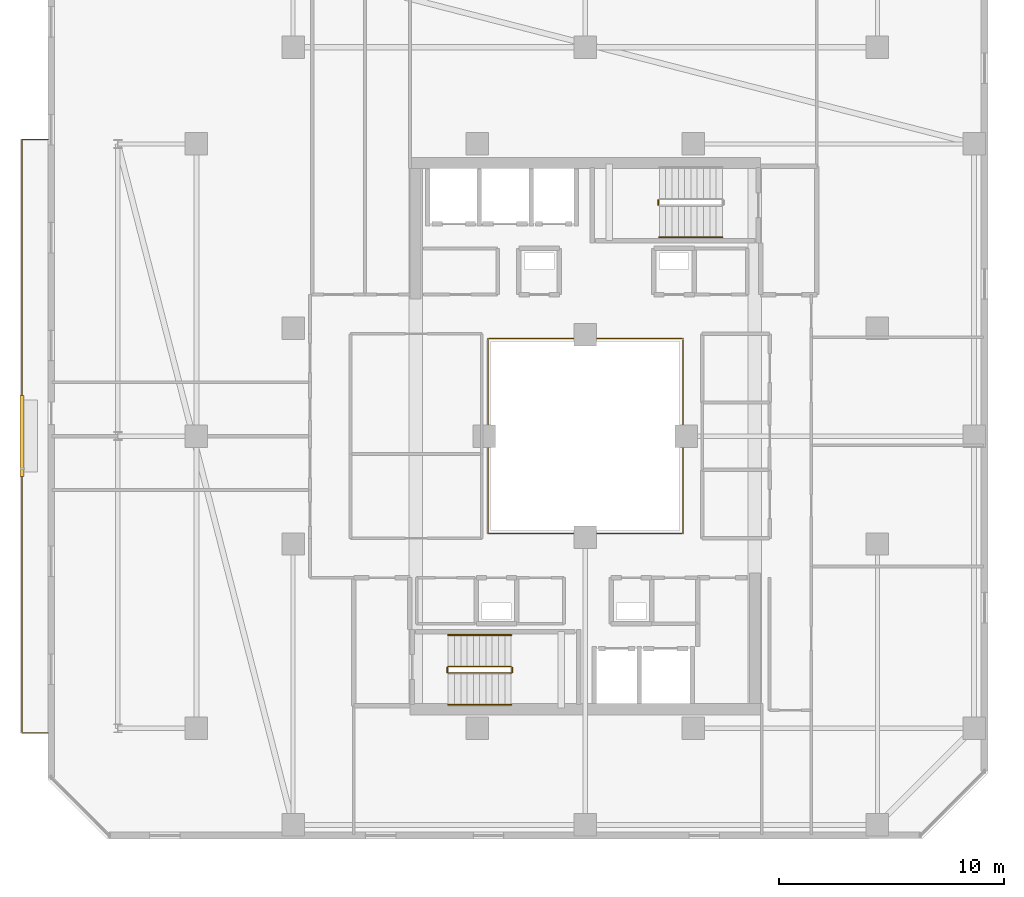
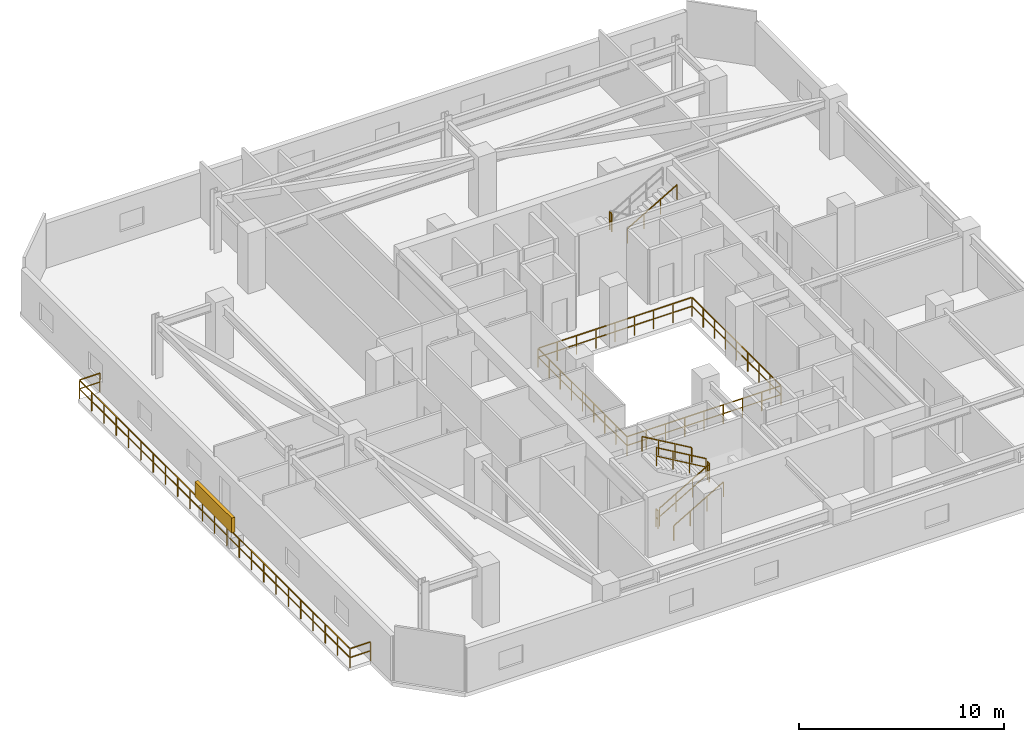
# One storey, part 30 of 33: 10 railings, 1 shading device.
"""IFC4 building model written with IfcOpenShell, lengths in metres."""

from ifc_helpers import new_model, si_unit, direction, frame, origin, origin_2d, place, context, subcontext, project, spatial, rectangle, extrude, material, type_object, element, save


model = new_model("IFC4")

# Units and contexts
model_context = context("Model", 3, precision=1e-05, world=origin(), true_north=direction((0.0, 1.0)))
body_context = subcontext(model_context, "Body", "Model", "MODEL_VIEW")
ifc_project = project(units=[si_unit("LENGTHUNIT", "METRE"), si_unit("AREAUNIT", "SQUARE_METRE"), si_unit("VOLUMEUNIT", "CUBIC_METRE"), si_unit("PLANEANGLEUNIT", "RADIAN"), si_unit("MASSUNIT", "GRAM", prefix="KILO")], contexts=[model_context])

# Site, building, storey
site_placement = place(None, origin())
site = spatial("IfcSite", under=ifc_project, at=site_placement, CompositionType="ELEMENT")
building_placement = place(site_placement, origin())
building = spatial("IfcBuilding", under=site, at=building_placement, Name="Thornwick Lancets Civic Towers", CompositionType="ELEMENT")
storey_placement = place(building_placement, frame((0.0, 0.0, 218.10009765625)))
storey = spatial("IfcBuildingStorey", under=building, at=storey_placement, Name="L58", CompositionType="ELEMENT", Elevation=218.10009765625)

# Railings
ifc_material_1 = material(Name="Laminated glass and bronze steel S355", Category="steel")
railing_type_1 = type_object("IfcRailingType", Name="RAIL_ATRIUM_GUARD", PredefinedType="BALUSTRADE", material=ifc_material_1)
railing_1_placement = place(storey_placement, frame((21.159912109375, 22.659912109375, 0.0)))
element("IfcRailing", 1, at=railing_1_placement, inside=storey, type_object=railing_type_1, Name="L58 Tower A Central Atrium Guard Balustrade", PredefinedType="BALUSTRADE", context=body_context, shape_type="SweptSolid", body=[
    extrude(rectangle(XDim=0.048095703125, YDim=0.048095703125, at=origin_2d()), frame((0.0, 0.0, 1.1259765625), z_axis=(1.0, 0.0, 0.0), x_axis=(0.0, 1.0, 0.0)), (0.0, 0.0, 1.0), 8.64892578125),
    extrude(rectangle(XDim=0.0419921875, YDim=0.0419921875, at=origin_2d()), frame((0.03759765625, 0.0, 0.597900390625), z_axis=(1.0, 0.0, 0.0), x_axis=(0.0, 1.0, 0.0)), (0.0, 0.0, 1.0), 1.010009765625),
    extrude(rectangle(XDim=0.0419921875, YDim=0.0419921875, at=origin_2d()), frame((1.12255859375, 0.0, 0.597900390625), z_axis=(1.0, 0.0, 0.0), x_axis=(0.0, 1.0, 0.0)), (0.0, 0.0, 1.0), 1.010009765625),
    extrude(rectangle(XDim=0.0419921875, YDim=0.0419921875, at=origin_2d()), frame((2.20751953125, 0.0, 0.597900390625), z_axis=(1.0, 0.0, 0.0), x_axis=(0.0, 1.0, 0.0)), (0.0, 0.0, 1.0), 1.010009765625),
    extrude(rectangle(XDim=0.0419921875, YDim=0.0419921875, at=origin_2d()), frame((3.29248046875, 0.0, 0.597900390625), z_axis=(1.0, 0.0, 0.0), x_axis=(0.0, 1.0, 0.0)), (0.0, 0.0, 1.0), 1.010009765625),
    extrude(rectangle(XDim=0.0419921875, YDim=0.0419921875, at=origin_2d()), frame((4.377685546875, 0.0, 0.597900390625), z_axis=(1.0, 0.0, 0.0), x_axis=(0.0, 1.0, 0.0)), (0.0, 0.0, 1.0), 1.010009765625),
    extrude(rectangle(XDim=0.0419921875, YDim=0.0419921875, at=origin_2d()), frame((5.462646484375, 0.0, 0.597900390625), z_axis=(1.0, 0.0, 0.0), x_axis=(0.0, 1.0, 0.0)), (0.0, 0.0, 1.0), 1.010009765625),
    extrude(rectangle(XDim=0.0419921875, YDim=0.0419921875, at=origin_2d()), frame((6.547607421875, 0.0, 0.597900390625), z_axis=(1.0, 0.0, 0.0), x_axis=(0.0, 1.0, 0.0)), (0.0, 0.0, 1.0), 1.010009765625),
    extrude(rectangle(XDim=0.0419921875, YDim=0.0419921875, at=origin_2d()), frame((7.632568359375, 0.0, 0.597900390625), z_axis=(1.0, 0.0, 0.0), x_axis=(0.0, 1.0, 0.0)), (0.0, 0.0, 1.0), 1.010009765625),
    extrude(rectangle(XDim=0.048095703125, YDim=0.048095703125, at=origin_2d()), frame((8.68017578125, 0.03125, 1.1259765625), z_axis=(0.0, 1.0, 0.0), x_axis=(-1.0, 0.0, 0.0)), (0.0, 0.0, 1.0), 8.61767578125),
    extrude(rectangle(XDim=0.0419921875, YDim=0.0419921875, at=origin_2d()), frame((8.68017578125, 0.03759765625, 0.597900390625), z_axis=(0.0, 1.0, 0.0), x_axis=(-1.0, 0.0, 0.0)), (0.0, 0.0, 1.0), 1.010009765625),
    extrude(rectangle(XDim=0.0419921875, YDim=0.0419921875, at=origin_2d()), frame((8.68017578125, 1.12255859375, 0.597900390625), z_axis=(0.0, 1.0, 0.0), x_axis=(-1.0, 0.0, 0.0)), (0.0, 0.0, 1.0), 1.010009765625),
    extrude(rectangle(XDim=0.0419921875, YDim=0.0419921875, at=origin_2d()), frame((8.68017578125, 2.20751953125, 0.597900390625), z_axis=(0.0, 1.0, 0.0), x_axis=(-1.0, 0.0, 0.0)), (0.0, 0.0, 1.0), 1.010009765625),
    extrude(rectangle(XDim=0.0419921875, YDim=0.0419921875, at=origin_2d()), frame((8.68017578125, 3.29248046875, 0.597900390625), z_axis=(0.0, 1.0, 0.0), x_axis=(-1.0, 0.0, 0.0)), (0.0, 0.0, 1.0), 1.010009765625),
    extrude(rectangle(XDim=0.0419921875, YDim=0.0419921875, at=origin_2d()), frame((8.68017578125, 4.377685546875, 0.597900390625), z_axis=(0.0, 1.0, 0.0), x_axis=(-1.0, 0.0, 0.0)), (0.0, 0.0, 1.0), 1.010009765625),
    extrude(rectangle(XDim=0.0419921875, YDim=0.0419921875, at=origin_2d()), frame((8.68017578125, 5.462646484375, 0.597900390625), z_axis=(0.0, 1.0, 0.0), x_axis=(-1.0, 0.0, 0.0)), (0.0, 0.0, 1.0), 1.010009765625),
    extrude(rectangle(XDim=0.0419921875, YDim=0.0419921875, at=origin_2d()), frame((8.68017578125, 6.547607421875, 0.597900390625), z_axis=(0.0, 1.0, 0.0), x_axis=(-1.0, 0.0, 0.0)), (0.0, 0.0, 1.0), 1.010009765625),
    extrude(rectangle(XDim=0.0419921875, YDim=0.0419921875, at=origin_2d()), frame((8.68017578125, 7.632568359375, 0.597900390625), z_axis=(0.0, 1.0, 0.0), x_axis=(-1.0, 0.0, 0.0)), (0.0, 0.0, 1.0), 1.010009765625),
    extrude(rectangle(XDim=0.048095703125, YDim=0.048095703125, at=origin_2d()), frame((8.64892578125, 8.68017578125, 1.1259765625), z_axis=(-1.0, 0.0, 0.0), x_axis=(0.0, -1.0, 0.0)), (0.0, 0.0, 1.0), 8.61767578125),
    extrude(rectangle(XDim=0.0419921875, YDim=0.0419921875, at=origin_2d()), frame((8.642578125, 8.68017578125, 0.597900390625), z_axis=(-1.0, 0.0, 0.0), x_axis=(0.0, -1.0, 0.0)), (0.0, 0.0, 1.0), 1.010009765625),
    extrude(rectangle(XDim=0.0419921875, YDim=0.0419921875, at=origin_2d()), frame((7.5576171875, 8.68017578125, 0.597900390625), z_axis=(-1.0, 0.0, 0.0), x_axis=(0.0, -1.0, 0.0)), (0.0, 0.0, 1.0), 1.010009765625),
    extrude(rectangle(XDim=0.0419921875, YDim=0.0419921875, at=origin_2d()), frame((6.47265625, 8.68017578125, 0.597900390625), z_axis=(-1.0, 0.0, 0.0), x_axis=(0.0, -1.0, 0.0)), (0.0, 0.0, 1.0), 1.010009765625),
    extrude(rectangle(XDim=0.0419921875, YDim=0.0419921875, at=origin_2d()), frame((5.3876953125, 8.68017578125, 0.597900390625), z_axis=(-1.0, 0.0, 0.0), x_axis=(0.0, -1.0, 0.0)), (0.0, 0.0, 1.0), 1.010009765625),
    extrude(rectangle(XDim=0.0419921875, YDim=0.0419921875, at=origin_2d()), frame((4.302490234375, 8.68017578125, 0.597900390625), z_axis=(-1.0, 0.0, 0.0), x_axis=(0.0, -1.0, 0.0)), (0.0, 0.0, 1.0), 1.010009765625),
    extrude(rectangle(XDim=0.0419921875, YDim=0.0419921875, at=origin_2d()), frame((3.217529296875, 8.68017578125, 0.597900390625), z_axis=(-1.0, 0.0, 0.0), x_axis=(0.0, -1.0, 0.0)), (0.0, 0.0, 1.0), 1.010009765625),
    extrude(rectangle(XDim=0.0419921875, YDim=0.0419921875, at=origin_2d()), frame((2.132568359375, 8.68017578125, 0.597900390625), z_axis=(-1.0, 0.0, 0.0), x_axis=(0.0, -1.0, 0.0)), (0.0, 0.0, 1.0), 1.010009765625),
    extrude(rectangle(XDim=0.0419921875, YDim=0.0419921875, at=origin_2d()), frame((1.047607421875, 8.68017578125, 0.597900390625), z_axis=(-1.0, 0.0, 0.0), x_axis=(0.0, -1.0, 0.0)), (0.0, 0.0, 1.0), 1.010009765625),
    extrude(rectangle(XDim=0.048095703125, YDim=0.048095703125, at=origin_2d()), frame((0.0, 8.64892578125, 1.1259765625), z_axis=(0.0, -1.0, 0.0), x_axis=(1.0, 0.0, 0.0)), (0.0, 0.0, 1.0), 8.64892578125),
    extrude(rectangle(XDim=0.0419921875, YDim=0.0419921875, at=origin_2d()), frame((0.0, 8.642578125, 0.597900390625), z_axis=(0.0, -1.0, 0.0), x_axis=(1.0, 0.0, 0.0)), (0.0, 0.0, 1.0), 1.010009765625),
    extrude(rectangle(XDim=0.0419921875, YDim=0.0419921875, at=origin_2d()), frame((0.0, 7.5576171875, 0.597900390625), z_axis=(0.0, -1.0, 0.0), x_axis=(1.0, 0.0, 0.0)), (0.0, 0.0, 1.0), 1.010009765625),
    extrude(rectangle(XDim=0.0419921875, YDim=0.0419921875, at=origin_2d()), frame((0.0, 6.47265625, 0.597900390625), z_axis=(0.0, -1.0, 0.0), x_axis=(1.0, 0.0, 0.0)), (0.0, 0.0, 1.0), 1.010009765625),
    extrude(rectangle(XDim=0.0419921875, YDim=0.0419921875, at=origin_2d()), frame((0.0, 5.3876953125, 0.597900390625), z_axis=(0.0, -1.0, 0.0), x_axis=(1.0, 0.0, 0.0)), (0.0, 0.0, 1.0), 1.010009765625),
    extrude(rectangle(XDim=0.0419921875, YDim=0.0419921875, at=origin_2d()), frame((0.0, 4.302490234375, 0.597900390625), z_axis=(0.0, -1.0, 0.0), x_axis=(1.0, 0.0, 0.0)), (0.0, 0.0, 1.0), 1.010009765625),
    extrude(rectangle(XDim=0.0419921875, YDim=0.0419921875, at=origin_2d()), frame((0.0, 3.217529296875, 0.597900390625), z_axis=(0.0, -1.0, 0.0), x_axis=(1.0, 0.0, 0.0)), (0.0, 0.0, 1.0), 1.010009765625),
    extrude(rectangle(XDim=0.0419921875, YDim=0.0419921875, at=origin_2d()), frame((0.0, 2.132568359375, 0.597900390625), z_axis=(0.0, -1.0, 0.0), x_axis=(1.0, 0.0, 0.0)), (0.0, 0.0, 1.0), 1.010009765625),
    extrude(rectangle(XDim=0.0419921875, YDim=0.0419921875, at=origin_2d()), frame((0.0, 1.047607421875, 0.597900390625), z_axis=(0.0, -1.0, 0.0), x_axis=(1.0, 0.0, 0.0)), (0.0, 0.0, 1.0), 1.010009765625),
    extrude(rectangle(XDim=0.0419921875, YDim=0.0419921875, at=origin_2d()), origin(), (0.0, 0.0, 1.0), 1.095703125),
    extrude(rectangle(XDim=0.0419921875, YDim=0.0419921875, at=origin_2d()), frame((1.0849609375, 0.0, 0.0)), (0.0, 0.0, 1.0), 1.095703125),
    extrude(rectangle(XDim=0.0419921875, YDim=0.0419921875, at=origin_2d()), frame((2.169921875, 0.0, 0.0)), (0.0, 0.0, 1.0), 1.095703125),
    extrude(rectangle(XDim=0.0419921875, YDim=0.0419921875, at=origin_2d()), frame((3.255126953125, 0.0, 0.0)), (0.0, 0.0, 1.0), 1.095703125),
    extrude(rectangle(XDim=0.0419921875, YDim=0.0419921875, at=origin_2d()), frame((4.340087890625, 0.0, 0.0)), (0.0, 0.0, 1.0), 1.095703125),
    extrude(rectangle(XDim=0.0419921875, YDim=0.0419921875, at=origin_2d()), frame((5.425048828125, 0.0, 0.0)), (0.0, 0.0, 1.0), 1.095703125),
    extrude(rectangle(XDim=0.0419921875, YDim=0.0419921875, at=origin_2d()), frame((6.51025390625, 0.0, 0.0)), (0.0, 0.0, 1.0), 1.095703125),
    extrude(rectangle(XDim=0.0419921875, YDim=0.0419921875, at=origin_2d()), frame((7.59521484375, 0.0, 0.0)), (0.0, 0.0, 1.0), 1.095703125),
    extrude(rectangle(XDim=0.0419921875, YDim=0.0419921875, at=origin_2d()), frame((8.68017578125, 0.0, 0.0)), (0.0, 0.0, 1.0), 1.095703125),
    extrude(rectangle(XDim=0.0419921875, YDim=0.0419921875, at=origin_2d()), frame((8.68017578125, 1.0849609375, 0.0)), (0.0, 0.0, 1.0), 1.095703125),
    extrude(rectangle(XDim=0.0419921875, YDim=0.0419921875, at=origin_2d()), frame((8.68017578125, 2.169921875, 0.0)), (0.0, 0.0, 1.0), 1.095703125),
    extrude(rectangle(XDim=0.0419921875, YDim=0.0419921875, at=origin_2d()), frame((8.68017578125, 3.255126953125, 0.0)), (0.0, 0.0, 1.0), 1.095703125),
    extrude(rectangle(XDim=0.0419921875, YDim=0.0419921875, at=origin_2d()), frame((8.68017578125, 4.340087890625, 0.0)), (0.0, 0.0, 1.0), 1.095703125),
    extrude(rectangle(XDim=0.0419921875, YDim=0.0419921875, at=origin_2d()), frame((8.68017578125, 5.425048828125, 0.0)), (0.0, 0.0, 1.0), 1.095703125),
    extrude(rectangle(XDim=0.0419921875, YDim=0.0419921875, at=origin_2d()), frame((8.68017578125, 6.51025390625, 0.0)), (0.0, 0.0, 1.0), 1.095703125),
    extrude(rectangle(XDim=0.0419921875, YDim=0.0419921875, at=origin_2d()), frame((8.68017578125, 7.59521484375, 0.0)), (0.0, 0.0, 1.0), 1.095703125),
    extrude(rectangle(XDim=0.0419921875, YDim=0.0419921875, at=origin_2d()), frame((8.68017578125, 8.68017578125, 0.0)), (0.0, 0.0, 1.0), 1.095703125),
    extrude(rectangle(XDim=0.0419921875, YDim=0.0419921875, at=origin_2d()), frame((7.59521484375, 8.68017578125, 0.0)), (0.0, 0.0, 1.0), 1.095703125),
    extrude(rectangle(XDim=0.0419921875, YDim=0.0419921875, at=origin_2d()), frame((6.51025390625, 8.68017578125, 0.0)), (0.0, 0.0, 1.0), 1.095703125),
    extrude(rectangle(XDim=0.0419921875, YDim=0.0419921875, at=origin_2d()), frame((5.425048828125, 8.68017578125, 0.0)), (0.0, 0.0, 1.0), 1.095703125),
    extrude(rectangle(XDim=0.0419921875, YDim=0.0419921875, at=origin_2d()), frame((4.340087890625, 8.68017578125, 0.0)), (0.0, 0.0, 1.0), 1.095703125),
    extrude(rectangle(XDim=0.0419921875, YDim=0.0419921875, at=origin_2d()), frame((3.255126953125, 8.68017578125, 0.0)), (0.0, 0.0, 1.0), 1.095703125),
    extrude(rectangle(XDim=0.0419921875, YDim=0.0419921875, at=origin_2d()), frame((2.169921875, 8.68017578125, 0.0)), (0.0, 0.0, 1.0), 1.095703125),
    extrude(rectangle(XDim=0.0419921875, YDim=0.0419921875, at=origin_2d()), frame((1.0849609375, 8.68017578125, 0.0)), (0.0, 0.0, 1.0), 1.095703125),
    extrude(rectangle(XDim=0.0419921875, YDim=0.0419921875, at=origin_2d()), frame((0.0, 8.68017578125, 0.0)), (0.0, 0.0, 1.0), 1.095703125),
    extrude(rectangle(XDim=0.0419921875, YDim=0.0419921875, at=origin_2d()), frame((0.0, 7.59521484375, 0.0)), (0.0, 0.0, 1.0), 1.095703125),
    extrude(rectangle(XDim=0.0419921875, YDim=0.0419921875, at=origin_2d()), frame((0.0, 6.51025390625, 0.0)), (0.0, 0.0, 1.0), 1.095703125),
    extrude(rectangle(XDim=0.0419921875, YDim=0.0419921875, at=origin_2d()), frame((0.0, 5.425048828125, 0.0)), (0.0, 0.0, 1.0), 1.095703125),
    extrude(rectangle(XDim=0.0419921875, YDim=0.0419921875, at=origin_2d()), frame((0.0, 4.340087890625, 0.0)), (0.0, 0.0, 1.0), 1.095703125),
    extrude(rectangle(XDim=0.0419921875, YDim=0.0419921875, at=origin_2d()), frame((0.0, 3.255126953125, 0.0)), (0.0, 0.0, 1.0), 1.095703125),
    extrude(rectangle(XDim=0.0419921875, YDim=0.0419921875, at=origin_2d()), frame((0.0, 2.169921875, 0.0)), (0.0, 0.0, 1.0), 1.095703125),
    extrude(rectangle(XDim=0.0419921875, YDim=0.0419921875, at=origin_2d()), frame((0.0, 1.0849609375, 0.0)), (0.0, 0.0, 1.0), 1.095703125),
])
ifc_material_2 = material(Name="Brushed stainless steel S355", Category="steel")
railing_type_2 = type_object("IfcRailingType", Name="RAIL_HANDRAIL", PredefinedType="HANDRAIL", material=ifc_material_2)
railing_2_placement = place(storey_placement, frame((19.39990234375, 15.050048828125, 0.16357421875)))
element("IfcRailing", 2, at=railing_2_placement, inside=storey, type_object=railing_type_2, Name="L58 ST-A1 stair handrail 1", PredefinedType="HANDRAIL", context=body_context, shape_type="SweptSolid", body=[
    extrude(rectangle(XDim=0.048095703125, YDim=0.048095703125, at=origin_2d()), frame((0.0, 0.0, 0.8857421875), z_axis=(0.863393664356, 0.0, 0.504530851732), x_axis=(0.0, 1.0, 0.0)), (0.0, 0.0, 1.0), 3.2431640625),
    extrude(rectangle(XDim=0.0419921875, YDim=0.0419921875, at=origin_2d()), origin(), (0.0, 0.0, 1.0), 0.855712890625),
    extrude(rectangle(XDim=0.0419921875, YDim=0.0419921875, at=origin_2d()), frame((0.933349609375, 0.0, 0.54541015625)), (0.0, 0.0, 1.0), 0.855712890625),
    extrude(rectangle(XDim=0.0419921875, YDim=0.0419921875, at=origin_2d()), frame((1.86669921875, 0.0, 1.0908203125)), (0.0, 0.0, 1.0), 0.855712890625),
    extrude(rectangle(XDim=0.0419921875, YDim=0.0419921875, at=origin_2d()), frame((2.800048828125, 0.0, 1.63623046875)), (0.0, 0.0, 1.0), 0.855712890625),
])
railing_3_placement = place(storey_placement, frame((22.199951171875, 18.14990234375, 1.963623046875)))
element("IfcRailing", 3, at=railing_3_placement, inside=storey, type_object=railing_type_2, Name="L58 ST-A1 stair handrail 2", PredefinedType="HANDRAIL", context=body_context, shape_type="SweptSolid", body=[
    extrude(rectangle(XDim=0.048095703125, YDim=0.048095703125, at=origin_2d()), frame((0.0, 0.0, 0.8857421875), z_axis=(-0.863393664356, 0.0, 0.504530851732), x_axis=(0.0, -1.0, 0.0)), (0.0, 0.0, 1.0), 3.2431640625),
    extrude(rectangle(XDim=0.0419921875, YDim=0.0419921875, at=origin_2d()), origin(), (0.0, 0.0, 1.0), 0.855712890625),
    extrude(rectangle(XDim=0.0419921875, YDim=0.0419921875, at=origin_2d()), frame((-0.933349609375, 0.0, 0.54541015625)), (0.0, 0.0, 1.0), 0.855712890625),
    extrude(rectangle(XDim=0.0419921875, YDim=0.0419921875, at=origin_2d()), frame((-1.86669921875, 0.0, 1.0908203125)), (0.0, 0.0, 1.0), 0.855712890625),
    extrude(rectangle(XDim=0.0419921875, YDim=0.0419921875, at=origin_2d()), frame((-2.800048828125, 0.0, 1.63623046875)), (0.0, 0.0, 1.0), 0.855712890625),
])
railing_4_placement = place(storey_placement, frame((28.800048828125, 35.85009765625, 1.963623046875)))
element("IfcRailing", 4, at=railing_4_placement, inside=storey, type_object=railing_type_2, Name="L58 ST-A2 stair handrail 2", PredefinedType="HANDRAIL", context=body_context, shape_type="SweptSolid", body=[
    extrude(rectangle(XDim=0.048095703125, YDim=0.048095703125, at=origin_2d()), frame((0.0, 0.0, 0.8857421875), z_axis=(0.863393664356, 0.0, 0.504530851732), x_axis=(0.0, 1.0, 0.0)), (0.0, 0.0, 1.0), 3.2431640625),
    extrude(rectangle(XDim=0.0419921875, YDim=0.0419921875, at=origin_2d()), origin(), (0.0, 0.0, 1.0), 0.855712890625),
    extrude(rectangle(XDim=0.0419921875, YDim=0.0419921875, at=origin_2d()), frame((0.933349609375, 0.0, 0.54541015625)), (0.0, 0.0, 1.0), 0.855712890625),
    extrude(rectangle(XDim=0.0419921875, YDim=0.0419921875, at=origin_2d()), frame((1.86669921875, 0.0, 1.0908203125)), (0.0, 0.0, 1.0), 0.855712890625),
    extrude(rectangle(XDim=0.0419921875, YDim=0.0419921875, at=origin_2d()), frame((2.800048828125, 0.0, 1.63623046875)), (0.0, 0.0, 1.0), 0.855712890625),
])
ifc_material_3 = material(Name="Steel S355JR", Category="steel")
railing_type_3 = type_object("IfcRailingType", Name="RAIL_STAIR_GUARD", PredefinedType="GUARDRAIL", material=ifc_material_3)
railing_5_placement = place(storey_placement, frame((19.39990234375, 16.449951171875, 0.16357421875)))
element("IfcRailing", 5, at=railing_5_placement, inside=storey, type_object=railing_type_3, Name="L58 ST-A1 stair guard 1", PredefinedType="GUARDRAIL", context=body_context, shape_type="SweptSolid", body=[
    extrude(rectangle(XDim=0.048095703125, YDim=0.048095703125, at=origin_2d()), frame((0.0, 0.0, 1.076171875), z_axis=(0.863393664356, 0.0, 0.504530851732), x_axis=(0.0, 1.0, 0.0)), (0.0, 0.0, 1.0), 3.2431640625),
    extrude(rectangle(XDim=0.0419921875, YDim=0.0419921875, at=origin_2d()), frame((0.032470703125, 0.0, 0.591064453125), z_axis=(0.863393664356, 0.0, 0.504530851732), x_axis=(0.0, 1.0, 0.0)), (0.0, 0.0, 1.0), 1.006103515625),
    extrude(rectangle(XDim=0.0419921875, YDim=0.0419921875, at=origin_2d()), frame((0.9658203125, 0.0, 1.136474609375), z_axis=(0.863393664356, 0.0, 0.504530851732), x_axis=(0.0, 1.0, 0.0)), (0.0, 0.0, 1.0), 1.006103515625),
    extrude(rectangle(XDim=0.0419921875, YDim=0.0419921875, at=origin_2d()), frame((1.899169921875, 0.0, 1.681884765625), z_axis=(0.863393664356, 0.0, 0.504530851732), x_axis=(0.0, 1.0, 0.0)), (0.0, 0.0, 1.0), 1.006103515625),
    extrude(rectangle(XDim=0.0419921875, YDim=0.0419921875, at=origin_2d()), origin(), (0.0, 0.0, 1.0), 1.0458984375),
    extrude(rectangle(XDim=0.0419921875, YDim=0.0419921875, at=origin_2d()), frame((0.933349609375, 0.0, 0.54541015625)), (0.0, 0.0, 1.0), 1.0458984375),
    extrude(rectangle(XDim=0.0419921875, YDim=0.0419921875, at=origin_2d()), frame((1.86669921875, 0.0, 1.0908203125)), (0.0, 0.0, 1.0), 1.0458984375),
    extrude(rectangle(XDim=0.0419921875, YDim=0.0419921875, at=origin_2d()), frame((2.800048828125, 0.0, 1.63623046875)), (0.0, 0.0, 1.0), 1.0458984375),
])
railing_6_placement = place(storey_placement, frame((22.25, 16.5, 1.7998046875)))
element("IfcRailing", 6, at=railing_6_placement, inside=storey, type_object=railing_type_3, Name="L58 ST-A1 stair guard 2", PredefinedType="GUARDRAIL", context=body_context, shape_type="SweptSolid", body=[
    extrude(rectangle(XDim=0.048095703125, YDim=0.048095703125, at=origin_2d()), frame((0.0, 0.0, 1.076171875), z_axis=(0.0, 1.0, 0.0), x_axis=(-1.0, 0.0, 0.0)), (0.0, 0.0, 1.0), 0.199951171875),
    extrude(rectangle(XDim=0.0419921875, YDim=0.0419921875, at=origin_2d()), frame((0.0, 0.03759765625, 0.572021484375), z_axis=(0.0, 1.0, 0.0), x_axis=(-1.0, 0.0, 0.0)), (0.0, 0.0, 1.0), 0.125),
    extrude(rectangle(XDim=0.0419921875, YDim=0.0419921875, at=origin_2d()), origin(), (0.0, 0.0, 1.0), 1.0458984375),
    extrude(rectangle(XDim=0.0419921875, YDim=0.0419921875, at=origin_2d()), frame((0.0, 0.199951171875, 0.0)), (0.0, 0.0, 1.0), 1.0458984375),
])
railing_7_placement = place(storey_placement, frame((22.199951171875, 16.75, 1.963623046875)))
element("IfcRailing", 7, at=railing_7_placement, inside=storey, type_object=railing_type_3, Name="L58 ST-A1 stair guard 3", PredefinedType="GUARDRAIL", context=body_context, shape_type="SweptSolid", body=[
    extrude(rectangle(XDim=0.048095703125, YDim=0.048095703125, at=origin_2d()), frame((0.0, 0.0, 1.076171875), z_axis=(-0.863393664356, 0.0, 0.504530851732), x_axis=(0.0, -1.0, 0.0)), (0.0, 0.0, 1.0), 3.2431640625),
    extrude(rectangle(XDim=0.0419921875, YDim=0.0419921875, at=origin_2d()), frame((-0.032470703125, 0.0, 0.591064453125), z_axis=(-0.863393664356, 0.0, 0.504530851732), x_axis=(0.0, -1.0, 0.0)), (0.0, 0.0, 1.0), 1.006103515625),
    extrude(rectangle(XDim=0.0419921875, YDim=0.0419921875, at=origin_2d()), frame((-0.9658203125, 0.0, 1.136474609375), z_axis=(-0.863393664356, 0.0, 0.504530851732), x_axis=(0.0, -1.0, 0.0)), (0.0, 0.0, 1.0), 1.006103515625),
    extrude(rectangle(XDim=0.0419921875, YDim=0.0419921875, at=origin_2d()), frame((-1.899169921875, 0.0, 1.681884765625), z_axis=(-0.863393664356, 0.0, 0.504530851732), x_axis=(0.0, -1.0, 0.0)), (0.0, 0.0, 1.0), 1.006103515625),
    extrude(rectangle(XDim=0.0419921875, YDim=0.0419921875, at=origin_2d()), origin(), (0.0, 0.0, 1.0), 1.0458984375),
    extrude(rectangle(XDim=0.0419921875, YDim=0.0419921875, at=origin_2d()), frame((-0.933349609375, 0.0, 0.54541015625)), (0.0, 0.0, 1.0), 1.0458984375),
    extrude(rectangle(XDim=0.0419921875, YDim=0.0419921875, at=origin_2d()), frame((-1.86669921875, 0.0, 1.0908203125)), (0.0, 0.0, 1.0), 1.0458984375),
    extrude(rectangle(XDim=0.0419921875, YDim=0.0419921875, at=origin_2d()), frame((-2.800048828125, 0.0, 1.63623046875)), (0.0, 0.0, 1.0), 1.0458984375),
])
railing_8_placement = place(storey_placement, frame((19.35009765625, 16.5, 0.0)))
element("IfcRailing", 8, at=railing_8_placement, inside=storey, type_object=railing_type_3, Name="L58 ST-A1 stair guard 4", PredefinedType="GUARDRAIL", context=body_context, shape_type="SweptSolid", body=[
    extrude(rectangle(XDim=0.048095703125, YDim=0.048095703125, at=origin_2d()), frame((0.0, 0.0, 1.076171875), z_axis=(0.0, 1.0, 0.0), x_axis=(-1.0, 0.0, 0.0)), (0.0, 0.0, 1.0), 0.199951171875),
    extrude(rectangle(XDim=0.0419921875, YDim=0.0419921875, at=origin_2d()), frame((0.0, 0.03759765625, 0.572021484375), z_axis=(0.0, 1.0, 0.0), x_axis=(-1.0, 0.0, 0.0)), (0.0, 0.0, 1.0), 0.125),
    extrude(rectangle(XDim=0.0419921875, YDim=0.0419921875, at=origin_2d()), origin(), (0.0, 0.0, 1.0), 1.0458984375),
    extrude(rectangle(XDim=0.0419921875, YDim=0.0419921875, at=origin_2d()), frame((0.0, 0.199951171875, 0.0)), (0.0, 0.0, 1.0), 1.0458984375),
])
railing_9_placement = place(storey_placement, frame((28.75, 37.5, 1.7998046875)))
element("IfcRailing", 9, at=railing_9_placement, inside=storey, type_object=railing_type_3, Name="L58 ST-A2 stair guard 2", PredefinedType="GUARDRAIL", context=body_context, shape_type="SweptSolid", body=[
    extrude(rectangle(XDim=0.048095703125, YDim=0.048095703125, at=origin_2d()), frame((0.0, 0.0, 1.076171875), z_axis=(0.0, -1.0, 0.0), x_axis=(1.0, 0.0, 0.0)), (0.0, 0.0, 1.0), 0.199951171875),
    extrude(rectangle(XDim=0.0419921875, YDim=0.0419921875, at=origin_2d()), frame((0.0, -0.03759765625, 0.572021484375), z_axis=(0.0, -1.0, 0.0), x_axis=(1.0, 0.0, 0.0)), (0.0, 0.0, 1.0), 0.125),
    extrude(rectangle(XDim=0.0419921875, YDim=0.0419921875, at=origin_2d()), origin(), (0.0, 0.0, 1.0), 1.0458984375),
    extrude(rectangle(XDim=0.0419921875, YDim=0.0419921875, at=origin_2d()), frame((0.0, -0.199951171875, 0.0)), (0.0, 0.0, 1.0), 1.0458984375),
])
ifc_material_4 = material(Name="Terracotta-capped laminated glass balustrade S355", Category="masonry")
railing_type_4 = type_object("IfcRailingType", Name="RAIL_TERR_GUARD", PredefinedType="GUARDRAIL", material=ifc_material_4)
railing_10_placement = place(storey_placement, frame((1.60009765625, 13.800048828125, 0.0)))
element("IfcRailing", 10, at=railing_10_placement, inside=storey, type_object=railing_type_4, Name="L58 Tower A Balcony Guard W", PredefinedType="GUARDRAIL", context=body_context, shape_type="SweptSolid", body=[
    extrude(rectangle(XDim=0.048095703125, YDim=0.048095703125, at=origin_2d()), frame((0.0, 0.0, 1.1259765625), z_axis=(-1.0, 0.0, 0.0), x_axis=(0.0, -1.0, 0.0)), (0.0, 0.0, 1.0), 1.138916015625),
    extrude(rectangle(XDim=0.0419921875, YDim=0.0419921875, at=origin_2d()), frame((-0.03759765625, 0.0, 0.597900390625), z_axis=(-1.0, 0.0, 0.0), x_axis=(0.0, -1.0, 0.0)), (0.0, 0.0, 1.0), 1.09521484375),
    extrude(rectangle(XDim=0.048095703125, YDim=0.048095703125, at=origin_2d()), frame((-1.170166015625, 0.03125, 1.1259765625), z_axis=(0.0, 1.0, 0.0), x_axis=(-1.0, 0.0, 0.0)), (0.0, 0.0, 1.0), 26.33740234375),
    extrude(rectangle(XDim=0.0419921875, YDim=0.0419921875, at=origin_2d()), frame((-1.170166015625, 0.03759765625, 0.597900390625), z_axis=(0.0, 1.0, 0.0), x_axis=(-1.0, 0.0, 0.0)), (0.0, 0.0, 1.0), 1.125),
    extrude(rectangle(XDim=0.0419921875, YDim=0.0419921875, at=origin_2d()), frame((-1.170166015625, 1.237548828125, 0.597900390625), z_axis=(0.0, 1.0, 0.0), x_axis=(-1.0, 0.0, 0.0)), (0.0, 0.0, 1.0), 1.125),
    extrude(rectangle(XDim=0.0419921875, YDim=0.0419921875, at=origin_2d()), frame((-1.170166015625, 2.4375, 0.597900390625), z_axis=(0.0, 1.0, 0.0), x_axis=(-1.0, 0.0, 0.0)), (0.0, 0.0, 1.0), 1.125),
    extrude(rectangle(XDim=0.0419921875, YDim=0.0419921875, at=origin_2d()), frame((-1.170166015625, 3.637451171875, 0.597900390625), z_axis=(0.0, 1.0, 0.0), x_axis=(-1.0, 0.0, 0.0)), (0.0, 0.0, 1.0), 1.125),
    extrude(rectangle(XDim=0.0419921875, YDim=0.0419921875, at=origin_2d()), frame((-1.170166015625, 4.83740234375, 0.597900390625), z_axis=(0.0, 1.0, 0.0), x_axis=(-1.0, 0.0, 0.0)), (0.0, 0.0, 1.0), 1.125),
    extrude(rectangle(XDim=0.0419921875, YDim=0.0419921875, at=origin_2d()), frame((-1.170166015625, 6.037353515625, 0.597900390625), z_axis=(0.0, 1.0, 0.0), x_axis=(-1.0, 0.0, 0.0)), (0.0, 0.0, 1.0), 1.125),
    extrude(rectangle(XDim=0.0419921875, YDim=0.0419921875, at=origin_2d()), frame((-1.170166015625, 7.237548828125, 0.597900390625), z_axis=(0.0, 1.0, 0.0), x_axis=(-1.0, 0.0, 0.0)), (0.0, 0.0, 1.0), 1.125),
    extrude(rectangle(XDim=0.0419921875, YDim=0.0419921875, at=origin_2d()), frame((-1.170166015625, 8.4375, 0.597900390625), z_axis=(0.0, 1.0, 0.0), x_axis=(-1.0, 0.0, 0.0)), (0.0, 0.0, 1.0), 1.125),
    extrude(rectangle(XDim=0.0419921875, YDim=0.0419921875, at=origin_2d()), frame((-1.170166015625, 9.637451171875, 0.597900390625), z_axis=(0.0, 1.0, 0.0), x_axis=(-1.0, 0.0, 0.0)), (0.0, 0.0, 1.0), 1.125),
    extrude(rectangle(XDim=0.0419921875, YDim=0.0419921875, at=origin_2d()), frame((-1.170166015625, 10.83740234375, 0.597900390625), z_axis=(0.0, 1.0, 0.0), x_axis=(-1.0, 0.0, 0.0)), (0.0, 0.0, 1.0), 1.125),
    extrude(rectangle(XDim=0.0419921875, YDim=0.0419921875, at=origin_2d()), frame((-1.170166015625, 12.037353515625, 0.597900390625), z_axis=(0.0, 1.0, 0.0), x_axis=(-1.0, 0.0, 0.0)), (0.0, 0.0, 1.0), 1.125),
    extrude(rectangle(XDim=0.0419921875, YDim=0.0419921875, at=origin_2d()), frame((-1.170166015625, 13.237548828125, 0.597900390625), z_axis=(0.0, 1.0, 0.0), x_axis=(-1.0, 0.0, 0.0)), (0.0, 0.0, 1.0), 1.125),
    extrude(rectangle(XDim=0.0419921875, YDim=0.0419921875, at=origin_2d()), frame((-1.170166015625, 14.4375, 0.597900390625), z_axis=(0.0, 1.0, 0.0), x_axis=(-1.0, 0.0, 0.0)), (0.0, 0.0, 1.0), 1.125),
    extrude(rectangle(XDim=0.0419921875, YDim=0.0419921875, at=origin_2d()), frame((-1.170166015625, 15.637451171875, 0.597900390625), z_axis=(0.0, 1.0, 0.0), x_axis=(-1.0, 0.0, 0.0)), (0.0, 0.0, 1.0), 1.125),
    extrude(rectangle(XDim=0.0419921875, YDim=0.0419921875, at=origin_2d()), frame((-1.170166015625, 16.83740234375, 0.597900390625), z_axis=(0.0, 1.0, 0.0), x_axis=(-1.0, 0.0, 0.0)), (0.0, 0.0, 1.0), 1.125),
    extrude(rectangle(XDim=0.0419921875, YDim=0.0419921875, at=origin_2d()), frame((-1.170166015625, 18.037353515625, 0.597900390625), z_axis=(0.0, 1.0, 0.0), x_axis=(-1.0, 0.0, 0.0)), (0.0, 0.0, 1.0), 1.125),
    extrude(rectangle(XDim=0.0419921875, YDim=0.0419921875, at=origin_2d()), frame((-1.170166015625, 19.2373046875, 0.597900390625), z_axis=(0.0, 1.0, 0.0), x_axis=(-1.0, 0.0, 0.0)), (0.0, 0.0, 1.0), 1.125),
    extrude(rectangle(XDim=0.0419921875, YDim=0.0419921875, at=origin_2d()), frame((-1.170166015625, 20.4375, 0.597900390625), z_axis=(0.0, 1.0, 0.0), x_axis=(-1.0, 0.0, 0.0)), (0.0, 0.0, 1.0), 1.125),
    extrude(rectangle(XDim=0.0419921875, YDim=0.0419921875, at=origin_2d()), frame((-1.170166015625, 21.637451171875, 0.597900390625), z_axis=(0.0, 1.0, 0.0), x_axis=(-1.0, 0.0, 0.0)), (0.0, 0.0, 1.0), 1.125),
    extrude(rectangle(XDim=0.0419921875, YDim=0.0419921875, at=origin_2d()), frame((-1.170166015625, 22.83740234375, 0.597900390625), z_axis=(0.0, 1.0, 0.0), x_axis=(-1.0, 0.0, 0.0)), (0.0, 0.0, 1.0), 1.125),
    extrude(rectangle(XDim=0.0419921875, YDim=0.0419921875, at=origin_2d()), frame((-1.170166015625, 24.037353515625, 0.597900390625), z_axis=(0.0, 1.0, 0.0), x_axis=(-1.0, 0.0, 0.0)), (0.0, 0.0, 1.0), 1.125),
    extrude(rectangle(XDim=0.0419921875, YDim=0.0419921875, at=origin_2d()), frame((-1.170166015625, 25.2373046875, 0.597900390625), z_axis=(0.0, 1.0, 0.0), x_axis=(-1.0, 0.0, 0.0)), (0.0, 0.0, 1.0), 1.125),
    extrude(rectangle(XDim=0.048095703125, YDim=0.048095703125, at=origin_2d()), frame((-1.138916015625, 26.39990234375, 1.1259765625), z_axis=(1.0, 0.0, 0.0), x_axis=(0.0, 1.0, 0.0)), (0.0, 0.0, 1.0), 1.138916015625),
    extrude(rectangle(XDim=0.0419921875, YDim=0.0419921875, at=origin_2d()), frame((-1.132568359375, 26.39990234375, 0.597900390625), z_axis=(1.0, 0.0, 0.0), x_axis=(0.0, 1.0, 0.0)), (0.0, 0.0, 1.0), 1.09521484375),
    extrude(rectangle(XDim=0.0419921875, YDim=0.0419921875, at=origin_2d()), origin(), (0.0, 0.0, 1.0), 1.095703125),
    extrude(rectangle(XDim=0.0419921875, YDim=0.0419921875, at=origin_2d()), frame((-1.170166015625, 0.0, 0.0)), (0.0, 0.0, 1.0), 1.095703125),
    extrude(rectangle(XDim=0.0419921875, YDim=0.0419921875, at=origin_2d()), frame((-1.170166015625, 1.199951171875, 0.0)), (0.0, 0.0, 1.0), 1.095703125),
    extrude(rectangle(XDim=0.0419921875, YDim=0.0419921875, at=origin_2d()), frame((-1.170166015625, 2.39990234375, 0.0)), (0.0, 0.0, 1.0), 1.095703125),
    extrude(rectangle(XDim=0.0419921875, YDim=0.0419921875, at=origin_2d()), frame((-1.170166015625, 3.60009765625, 0.0)), (0.0, 0.0, 1.0), 1.095703125),
    extrude(rectangle(XDim=0.0419921875, YDim=0.0419921875, at=origin_2d()), frame((-1.170166015625, 4.800048828125, 0.0)), (0.0, 0.0, 1.0), 1.095703125),
    extrude(rectangle(XDim=0.0419921875, YDim=0.0419921875, at=origin_2d()), frame((-1.170166015625, 6.0, 0.0)), (0.0, 0.0, 1.0), 1.095703125),
    extrude(rectangle(XDim=0.0419921875, YDim=0.0419921875, at=origin_2d()), frame((-1.170166015625, 7.199951171875, 0.0)), (0.0, 0.0, 1.0), 1.095703125),
    extrude(rectangle(XDim=0.0419921875, YDim=0.0419921875, at=origin_2d()), frame((-1.170166015625, 8.39990234375, 0.0)), (0.0, 0.0, 1.0), 1.095703125),
    extrude(rectangle(XDim=0.0419921875, YDim=0.0419921875, at=origin_2d()), frame((-1.170166015625, 9.599853515625, 0.0)), (0.0, 0.0, 1.0), 1.095703125),
    extrude(rectangle(XDim=0.0419921875, YDim=0.0419921875, at=origin_2d()), frame((-1.170166015625, 10.800048828125, 0.0)), (0.0, 0.0, 1.0), 1.095703125),
    extrude(rectangle(XDim=0.0419921875, YDim=0.0419921875, at=origin_2d()), frame((-1.170166015625, 12.0, 0.0)), (0.0, 0.0, 1.0), 1.095703125),
    extrude(rectangle(XDim=0.0419921875, YDim=0.0419921875, at=origin_2d()), frame((-1.170166015625, 13.199951171875, 0.0)), (0.0, 0.0, 1.0), 1.095703125),
    extrude(rectangle(XDim=0.0419921875, YDim=0.0419921875, at=origin_2d()), frame((-1.170166015625, 14.39990234375, 0.0)), (0.0, 0.0, 1.0), 1.095703125),
    extrude(rectangle(XDim=0.0419921875, YDim=0.0419921875, at=origin_2d()), frame((-1.170166015625, 15.599853515625, 0.0)), (0.0, 0.0, 1.0), 1.095703125),
    extrude(rectangle(XDim=0.0419921875, YDim=0.0419921875, at=origin_2d()), frame((-1.170166015625, 16.800048828125, 0.0)), (0.0, 0.0, 1.0), 1.095703125),
    extrude(rectangle(XDim=0.0419921875, YDim=0.0419921875, at=origin_2d()), frame((-1.170166015625, 18.0, 0.0)), (0.0, 0.0, 1.0), 1.095703125),
    extrude(rectangle(XDim=0.0419921875, YDim=0.0419921875, at=origin_2d()), frame((-1.170166015625, 19.199951171875, 0.0)), (0.0, 0.0, 1.0), 1.095703125),
    extrude(rectangle(XDim=0.0419921875, YDim=0.0419921875, at=origin_2d()), frame((-1.170166015625, 20.39990234375, 0.0)), (0.0, 0.0, 1.0), 1.095703125),
    extrude(rectangle(XDim=0.0419921875, YDim=0.0419921875, at=origin_2d()), frame((-1.170166015625, 21.599853515625, 0.0)), (0.0, 0.0, 1.0), 1.095703125),
    extrude(rectangle(XDim=0.0419921875, YDim=0.0419921875, at=origin_2d()), frame((-1.170166015625, 22.7998046875, 0.0)), (0.0, 0.0, 1.0), 1.095703125),
    extrude(rectangle(XDim=0.0419921875, YDim=0.0419921875, at=origin_2d()), frame((-1.170166015625, 24.0, 0.0)), (0.0, 0.0, 1.0), 1.095703125),
    extrude(rectangle(XDim=0.0419921875, YDim=0.0419921875, at=origin_2d()), frame((-1.170166015625, 25.199951171875, 0.0)), (0.0, 0.0, 1.0), 1.095703125),
    extrude(rectangle(XDim=0.0419921875, YDim=0.0419921875, at=origin_2d()), frame((-1.170166015625, 26.39990234375, 0.0)), (0.0, 0.0, 1.0), 1.095703125),
    extrude(rectangle(XDim=0.0419921875, YDim=0.0419921875, at=origin_2d()), frame((0.0, 26.39990234375, 0.0)), (0.0, 0.0, 1.0), 1.095703125),
])

# Shading device
ifc_material_5 = material(Name="Extruded terracotta baguette solar screen", Category="masonry")
shading_device_type = type_object("IfcShadingDeviceType", Name="SHADE_BAGUETTE", PredefinedType="JALOUSIE", material=ifc_material_5)
shading_device_placement = place(storey_placement, frame((0.43994140625, 27.0, 1.119873046875), z_axis=(0.0, 0.0, 1.0), x_axis=(0.0, 1.0, 0.0)))
element("IfcShadingDevice", 11, at=shading_device_placement, inside=storey, type_object=shading_device_type, Name="L58 Tower A Terracotta Baguette Screen W", PredefinedType="JALOUSIE", context=body_context, shape_type="SweptSolid", body=[
    extrude(rectangle(XDim=3.60009765625, YDim=0.179931640625, at=origin_2d()), origin(), (0.0, 0.0, 1.0), 0.89990234375),
])

save(model, "model.ifc")
